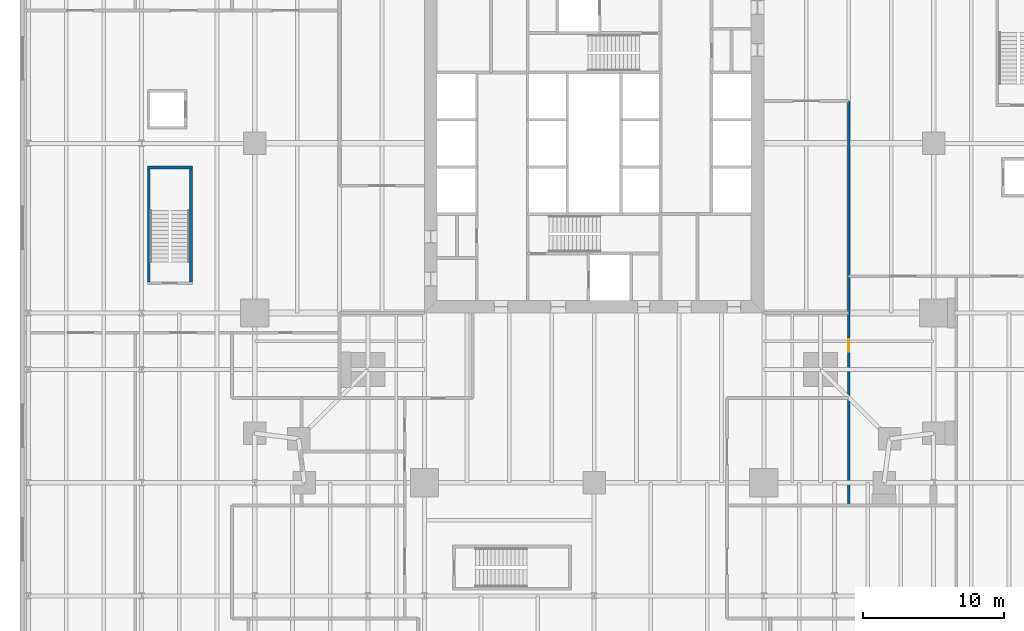
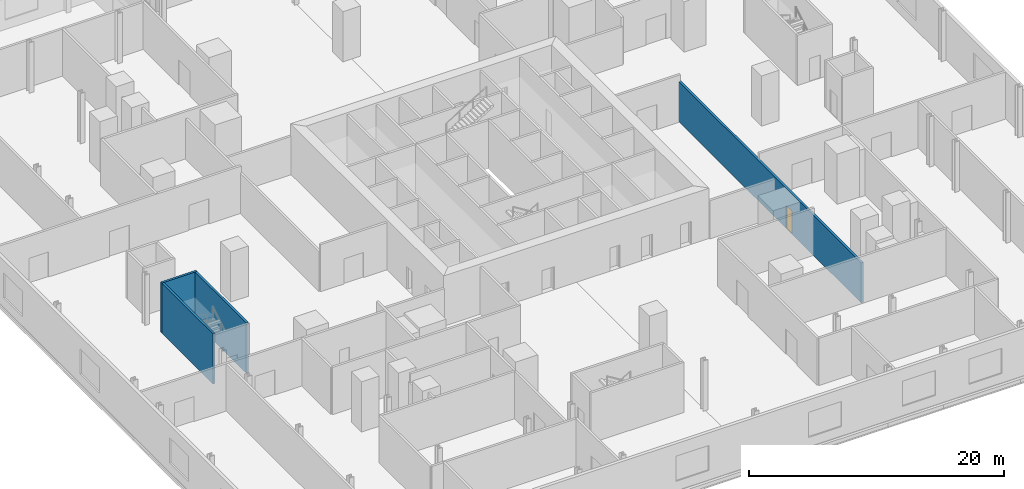
# One storey, part 10 of 16: 4 walls, 1 door, 1 opening.
"""IFC4 building model written with IfcOpenShell, lengths in metres."""

from ifc_helpers import new_model, si_unit, direction, frame, frame_2d, origin, place, context, subcontext, project, spatial, rectangle, extrude, material, layer, layer_set, type_object, element, fill, save


model = new_model("IFC4")

# Units and contexts
model_context = context("Model", 3, precision=1e-05, world=origin(), true_north=direction((0.0, 1.0)))
body_context = subcontext(model_context, "Body", "Model", "MODEL_VIEW")
ifc_project = project(units=[si_unit("LENGTHUNIT", "METRE"), si_unit("AREAUNIT", "SQUARE_METRE"), si_unit("VOLUMEUNIT", "CUBIC_METRE"), si_unit("PLANEANGLEUNIT", "RADIAN"), si_unit("MASSUNIT", "GRAM", prefix="KILO")], contexts=[model_context])

# Site, building, storey
site_placement = place(None, origin())
site = spatial("IfcSite", under=ifc_project, at=site_placement, CompositionType="ELEMENT")
building_placement = place(site_placement, origin())
building = spatial("IfcBuilding", under=site, at=building_placement, Name="Fenwick Lantern Interchange", CompositionType="ELEMENT")
storey_placement = place(building_placement, frame((0.0, 0.0, 7.0)))
storey = spatial("IfcBuildingStorey", under=building, at=storey_placement, Name="L01", CompositionType="ELEMENT", Elevation=7.0)

# Wall, opening, door
ifc_material_1 = material(Name="Gypsum board on steel studs, 1 hour", Category="steel")
ifc_layer_1 = layer(ifc_material_1, 0.199951171875)
ifc_layer_set_1 = layer_set([ifc_layer_1], Name="ROOM WALL 200")
wall_type_1 = type_object("IfcWallType", Name="ROOM WALL 200", PredefinedType="PARTITIONING", material=ifc_layer_set_1)
wall_1_placement = place(storey_placement, frame((43.0, -0.60009765625, 0.0), z_axis=(0.0, 0.0, 1.0), x_axis=(0.0, 1.0, 0.0)))
wall_1 = element("IfcWall", 1, at=wall_1_placement, inside=storey, type_object=wall_type_1, Name="L01/W/POD/X43-1", PredefinedType="PARTITIONING", context=body_context, shape_type="SweptSolid", body=[
    extrude(rectangle(XDim=28.60009765625, YDim=0.199951171875, at=frame_2d((14.300048828125, 0.0))), origin(), (0.0, 0.0, 1.0), 3.843017578125),
])
opening_placement = place(wall_1_placement, frame((10.85009765625, 0.0, 0.0)))
opening = element("IfcOpeningElement", 2, at=opening_placement, cuts=wall_1, Name="Opening L01-D036", PredefinedType="OPENING", context=body_context, shape_type="SweptSolid", body=[
    extrude(rectangle(XDim=0.89990234375, YDim=2.199951171875, at=frame_2d((0.449951171875, 1.10009765625))), frame((0.0, 0.10986328125, 0.0), z_axis=(0.0, -1.0, 0.0), x_axis=(1.0, 0.0, 0.0)), (0.0, 0.0, 1.0), 0.219970703125),
])
ifc_material_2 = material(Name="Hardwood door and steel frame", Category="steel")
door_type = type_object("IfcDoorType", Name="OFFICE DOOR 900 X 2200", OperationType="SINGLE_SWING_LEFT", PredefinedType="DOOR", material=ifc_material_2)
door_placement = place(opening_placement, origin())
door = element("IfcDoor", 3, at=door_placement, inside=storey, type_object=door_type, Name="Office door", OperationType="SINGLE_SWING_RIGHT", OverallHeight=2.199951171875, OverallWidth=0.89990234375, PredefinedType="DOOR", context=body_context, shape_type="SweptSolid", body=[
    extrude(rectangle(XDim=0.89990234375, YDim=2.199951171875, at=frame_2d((0.449951171875, 1.10009765625))), frame((0.0, 0.02490234375, 0.0), z_axis=(0.0, -1.0, 0.0), x_axis=(1.0, 0.0, 0.0)), (0.0, 0.0, 1.0), 0.050048828125),
])
fill(opening, door)

# Walls
ifc_material_3 = material(Name="Reinforced concrete masonry ASTM C90 Grade N", Category="masonry")
ifc_layer_2 = layer(ifc_material_3, 0.199951171875)
ifc_layer_set_2 = layer_set([ifc_layer_2], Name="Reinforced concrete masonry ASTM C90 Grade N")
wall_type_2 = type_object("IfcWallType", Name="STAIR ENCLOSURE 200", PredefinedType="SOLIDWALL", material=ifc_layer_set_2)
wall_2_placement = place(storey_placement, frame((-3.5, 15.199951171875, 0.0), z_axis=(0.0, 0.0, 1.0), x_axis=(0.0, 1.0, 0.0)))
element("IfcWall", 4, at=wall_2_placement, inside=storey, type_object=wall_type_2, Name="L01/W/PS3/E", PredefinedType="SOLIDWALL", context=body_context, shape_type="SweptSolid", body=[
    extrude(rectangle(XDim=8.0, YDim=0.199951171875, at=frame_2d((4.0, 0.0))), origin(), (0.0, 0.0, 1.0), 4.800048828125),
])
wall_3_placement = place(storey_placement, frame((-3.39990234375, 23.300048828125, 0.0), z_axis=(0.0, 0.0, 1.0), x_axis=(-1.0, 0.0, 0.0)))
element("IfcWall", 5, at=wall_3_placement, inside=storey, type_object=wall_type_2, Name="L01/W/PS3/N", PredefinedType="SOLIDWALL", context=body_context, shape_type="SweptSolid", body=[
    extrude(rectangle(XDim=3.2001953125, YDim=0.199951171875, at=frame_2d((1.60009765625, 0.0))), origin(), (0.0, 0.0, 1.0), 4.800048828125),
])
wall_4_placement = place(storey_placement, frame((-6.5, 23.199951171875, 0.0), z_axis=(0.0, 0.0, 1.0), x_axis=(0.0, -1.0, 0.0)))
element("IfcWall", 6, at=wall_4_placement, inside=storey, type_object=wall_type_2, Name="L01/W/PS3/W", PredefinedType="SOLIDWALL", context=body_context, shape_type="SweptSolid", body=[
    extrude(rectangle(XDim=8.0, YDim=0.199951171875, at=frame_2d((4.0, 0.0))), origin(), (0.0, 0.0, 1.0), 4.800048828125),
])

save(model, "model.ifc")
